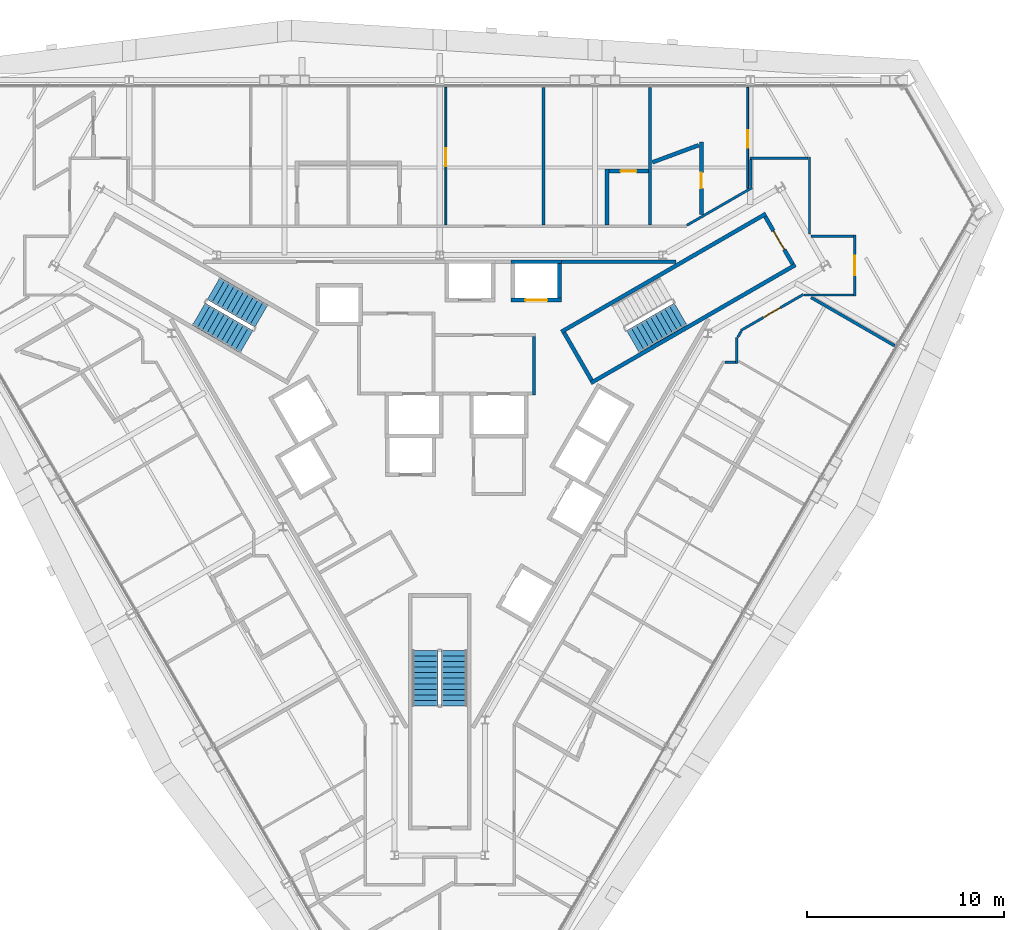
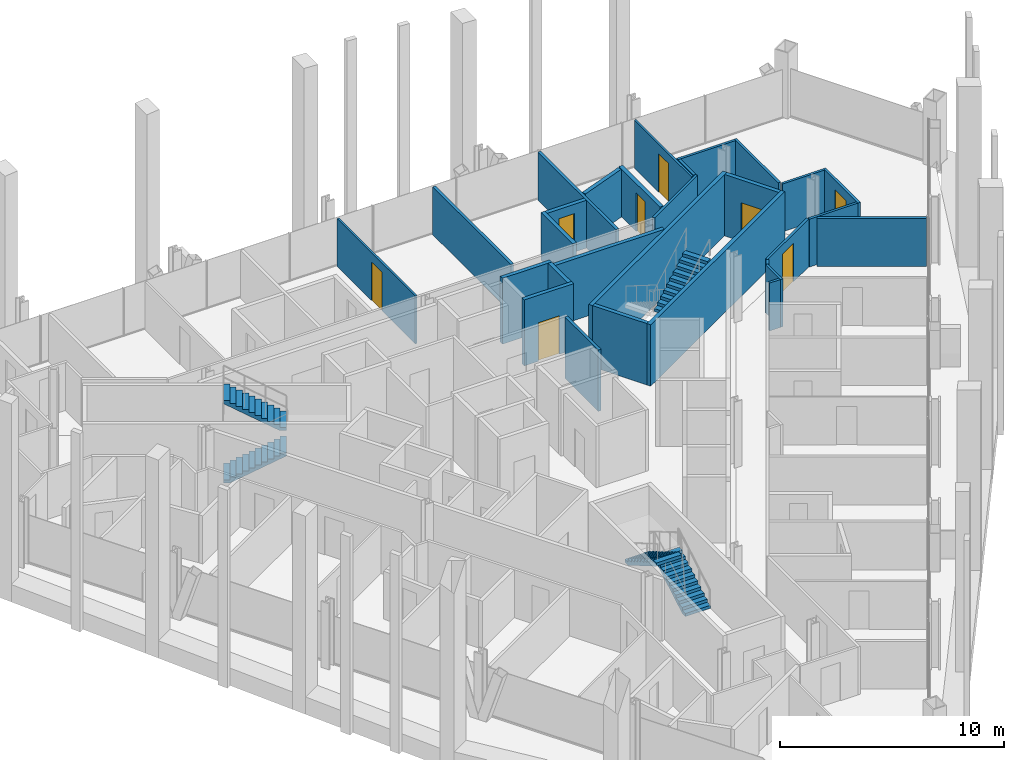
# One storey, part 14 of 17: 29 walls, 8 doors, 5 stair flights, 8 openings, 3 elements without a shape of their own.
"""IFC4 building model written with IfcOpenShell, lengths in metres."""

from ifc_helpers import new_model, si_unit, direction, frame, frame_2d, origin, place, context, subcontext, project, spatial, polyline, rectangle, outline, extrude, material, layer, layer_set, type_object, element, fill, aggregate, save


model = new_model("IFC4")

# Units and contexts
model_context = context("Model", 3, precision=1e-05, world=origin(), true_north=direction((0.0, 1.0)))
body_context = subcontext(model_context, "Body", "Model", "MODEL_VIEW")
ifc_project = project(units=[si_unit("LENGTHUNIT", "METRE"), si_unit("AREAUNIT", "SQUARE_METRE"), si_unit("VOLUMEUNIT", "CUBIC_METRE"), si_unit("PLANEANGLEUNIT", "RADIAN"), si_unit("MASSUNIT", "GRAM", prefix="KILO")], contexts=[model_context])

# Site, building, storey
site_placement = place(None, origin())
site = spatial("IfcSite", under=ifc_project, at=site_placement, CompositionType="ELEMENT")
building_placement = place(site_placement, origin())
building = spatial("IfcBuilding", under=site, at=building_placement, Name="Verrane Prism Tower", CompositionType="ELEMENT")
storey_placement = place(building_placement, frame((0.0, 0.0, 92.800048828125)))
storey = spatial("IfcBuildingStorey", under=building, at=storey_placement, Name="L21", CompositionType="ELEMENT", Elevation=92.800048828125)

# Wall
ifc_material_1 = material(Name="Gypsum board partition", Category="other")
ifc_layer_1 = layer(ifc_material_1, 0.199951171875)
ifc_layer_set_1 = layer_set([ifc_layer_1], Name="CW-200 core boundary wall 2 h")
wall_type_1 = type_object("IfcWallType", Name="CW-200 core boundary wall 2 h", PredefinedType="PARTITIONING", material=ifc_layer_set_1)
wall_1_placement = place(storey_placement, frame((6.177001953125, 8.860107421875, 0.0), z_axis=(0.0, 0.0, 1.0), x_axis=(1.0, 0.0, 0.0)))
element("IfcWall", 1, at=wall_1_placement, inside=storey, type_object=wall_type_1, Name="Core boundary wall CW3-006", PredefinedType="PARTITIONING", context=body_context, shape_type="SweptSolid", body=[
    extrude(rectangle(XDim=5.81396484375, YDim=0.199951171875, at=frame_2d((2.906982421875, 0.0))), origin(), (0.0, 0.0, 1.0), 3.349853515625),
])

# Wall, opening, door
ifc_material_2 = material(Name="Concrete C40/50", Category="concrete")
ifc_layer_2 = layer(ifc_material_2, 0.199951171875)
ifc_layer_set_2 = layer_set([ifc_layer_2], Name="CW-200 stair core wall concrete C40/50 3 h")
wall_type_2 = type_object("IfcWallType", Name="CW-200 stair core wall concrete C40/50 3 h", PredefinedType="PARTITIONING", material=ifc_layer_set_2)
wall_2_placement = place(storey_placement, frame((17.933837890625, 8.737548828125, 0.0), z_axis=(0.0, 0.0, 1.0), x_axis=(-0.49998411664, 0.866034573852, 0.0)))
wall_2 = element("IfcWall", 2, at=wall_2_placement, inside=storey, type_object=wall_type_2, Name="Stair 1 enclosure wall", PredefinedType="PARTITIONING", context=body_context, shape_type="SweptSolid", body=[
    extrude(rectangle(XDim=2.7998046875, YDim=0.199951171875, at=frame_2d((1.39990234375, 0.0))), origin(), (0.0, 0.0, 1.0), 3.349853515625),
])
opening_1_placement = place(wall_2_placement, frame((0.849853515625, 0.0, 0.0)))
opening_1 = element("IfcOpeningElement", 3, at=opening_1_placement, cuts=wall_2, Name="Opening D21500", PredefinedType="OPENING", context=body_context, shape_type="SweptSolid", body=[
    extrude(rectangle(XDim=1.10009765625, YDim=2.10009765625, at=frame_2d((0.550048828125, 1.050048828125))), frame((0.0, 0.10986328125, 0.0), z_axis=(0.0, -1.0, 0.0), x_axis=(1.0, 0.0, 0.0)), (0.0, 0.0, 1.0), 0.219970703125),
])
ifc_material_3 = material(Name="Timber veneered door leaf", Category="wood")
door_type_1 = type_object("IfcDoorType", Name="DR-1100x2100 FD90 single leaf stair", OperationType="NOTDEFINED", PredefinedType="DOOR", material=ifc_material_3)
door_1_placement = place(opening_1_placement, origin())
door_1 = element("IfcDoor", 4, at=door_1_placement, inside=storey, type_object=door_type_1, Name="Stair 1 door", OperationType="SINGLE_SWING_LEFT", OverallHeight=2.10009765625, OverallWidth=1.10009765625, PredefinedType="DOOR", context=body_context, shape_type="SweptSolid", body=[
    extrude(rectangle(XDim=1.10009765625, YDim=2.10009765625, at=frame_2d((0.550048828125, 1.050048828125))), frame((0.0, 0.02490234375, 0.0), z_axis=(0.0, -1.0, 0.0), x_axis=(1.0, 0.0, 0.0)), (0.0, 0.0, 1.0), 0.050048828125),
])
fill(opening_1, door_1)

# Walls
for number, where, z_axis, x_axis, name in (
    (5, (6.17822265625, 5.299072265625, 0.0), (0.0, 0.0, 1.0), (0.866026010844, 0.49999894854, 0.0), "Stair 1 enclosure wall"),
    (6, (7.67822265625, 2.700927734375, 0.0), (0.0, 0.0, 1.0), (0.866026010844, 0.49999894854, 0.0), "Stair 1 enclosure wall"),
):
    element("IfcWall", number, at=place(storey_placement, frame(where, z_axis=z_axis, x_axis=x_axis)), inside=storey, type_object=wall_type_2, Name=name, PredefinedType="PARTITIONING", context=body_context, shape_type="SweptSolid", body=[
        extrude(rectangle(XDim=12.0, YDim=0.199951171875, at=frame_2d((6.0, 0.0))), origin(), (0.0, 0.0, 1.0), 3.349853515625),
    ])
wall_3_placement = place(storey_placement, frame((7.71484375, 2.837646484375, 0.0), z_axis=(0.0, 0.0, 1.0), x_axis=(-0.500049511043, 0.865996816683, 0.0)))
element("IfcWall", 7, at=wall_3_placement, inside=storey, type_object=wall_type_2, Name="Stair 1 enclosure wall", PredefinedType="PARTITIONING", context=body_context, shape_type="SweptSolid", body=[
    extrude(rectangle(XDim=2.800048828125, YDim=0.199951171875, at=frame_2d((1.39990234375, 0.0))), origin(), (0.0, 0.0, 1.0), 3.349853515625),
])

# Wall, opening, door
ifc_material_4 = material(Name="Gypsum board shaft wall assembly", Category="other")
ifc_layer_3 = layer(ifc_material_4, 0.199951171875)
ifc_layer_set_3 = layer_set([ifc_layer_3], Name="HW-200 lift shaft wall 2 h")
wall_type_3 = type_object("IfcWallType", Name="HW-200 lift shaft wall 2 h", PredefinedType="PARTITIONING", material=ifc_layer_set_3)
wall_4_placement = place(storey_placement, frame((3.625, 6.909912109375, 0.0), z_axis=(0.0, 0.0, 1.0), x_axis=(1.0, 0.0, 0.0)))
wall_4 = element("IfcWall", 8, at=wall_4_placement, inside=storey, type_object=wall_type_3, Name="Lift shaft wall", PredefinedType="PARTITIONING", context=body_context, shape_type="SweptSolid", body=[
    extrude(rectangle(XDim=2.550048828125, YDim=0.199951171875, at=frame_2d((1.27490234375, 0.0))), origin(), (0.0, 0.0, 1.0), 3.599853515625),
])
opening_2_placement = place(wall_4_placement, frame((0.72509765625, 0.0, 0.0)))
opening_2 = element("IfcOpeningElement", 9, at=opening_2_placement, cuts=wall_4, Name="Opening D21505", PredefinedType="OPENING", context=body_context, shape_type="SweptSolid", body=[
    extrude(rectangle(XDim=1.10009765625, YDim=2.10009765625, at=frame_2d((0.550048828125, 1.050048828125))), frame((0.0, 0.10986328125, 0.0), z_axis=(0.0, -1.0, 0.0), x_axis=(1.0, 0.0, 0.0)), (0.0, 0.0, 1.0), 0.219970703125),
])
ifc_material_5 = material(Name="Stainless steel sliding landing door", Category="steel")
door_type_2 = type_object("IfcDoorType", Name="LD-1100x2100 lift landing door FD90 sliding", OperationType="NOTDEFINED", PredefinedType="DOOR", material=ifc_material_5)
door_2_placement = place(opening_2_placement, origin())
door_2 = element("IfcDoor", 10, at=door_2_placement, inside=storey, type_object=door_type_2, Name="Bank A lift 3 landing door", OperationType="SLIDING_TO_LEFT", OverallHeight=2.10009765625, OverallWidth=1.10009765625, PredefinedType="DOOR", context=body_context, shape_type="SweptSolid", body=[
    extrude(rectangle(XDim=1.10009765625, YDim=2.10009765625, at=frame_2d((0.550048828125, 1.050048828125))), frame((0.0, 0.02490234375, 0.0), z_axis=(0.0, -1.0, 0.0), x_axis=(1.0, 0.0, 0.0)), (0.0, 0.0, 1.0), 0.050048828125),
])
fill(opening_2, door_2)

# Walls
wall_5_placement = place(storey_placement, frame((3.625, 8.860107421875, 0.0), z_axis=(0.0, 0.0, 1.0), x_axis=(1.0, 0.0, 0.0)))
element("IfcWall", 11, at=wall_5_placement, inside=storey, type_object=wall_type_3, Name="Lift shaft wall", PredefinedType="PARTITIONING", context=body_context, shape_type="SweptSolid", body=[
    extrude(rectangle(XDim=2.550048828125, YDim=0.199951171875, at=frame_2d((1.27490234375, 0.0))), origin(), (0.0, 0.0, 1.0), 3.599853515625),
])
wall_6_placement = place(storey_placement, frame((6.074951171875, 7.010009765625, 0.0), z_axis=(0.0, 0.0, 1.0), x_axis=(0.0, 1.0, 0.0)))
element("IfcWall", 12, at=wall_6_placement, inside=storey, type_object=wall_type_3, Name="Lift shaft wall", PredefinedType="PARTITIONING", context=body_context, shape_type="SweptSolid", body=[
    extrude(rectangle(XDim=1.75, YDim=0.199951171875, at=frame_2d((0.875, 0.0))), origin(), (0.0, 0.0, 1.0), 3.599853515625),
])
ifc_material_6 = material(Name="Gypsum board partition", Category="other")
ifc_layer_4 = layer(ifc_material_6, 0.14990234375)
ifc_layer_set_4 = layer_set([ifc_layer_4], Name="LF-150 firefighting lobby wall 1 h")
wall_type_4 = type_object("IfcWallType", Name="LF-150 firefighting lobby wall 1 h", PredefinedType="PARTITIONING", material=ifc_layer_set_4)
wall_7_placement = place(storey_placement, frame((4.7900390625, 2.0849609375, 0.0), z_axis=(0.0, 0.0, 1.0), x_axis=(0.0, 1.0, 0.0)))
element("IfcWall", 13, at=wall_7_placement, inside=storey, type_object=wall_type_4, Name="Firefighting lobby wall LF1-008", PredefinedType="PARTITIONING", context=body_context, shape_type="SweptSolid", body=[
    extrude(rectangle(XDim=2.97998046875, YDim=0.14990234375, at=frame_2d((1.489990234375, 0.0))), origin(), (0.0, 0.0, 1.0), 3.349853515625),
])

# Wall, opening, door
ifc_material_7 = material(Name="Gypsum board partition", Category="other")
ifc_layer_5 = layer(ifc_material_7, 0.10009765625)
ifc_layer_set_5 = layer_set([ifc_layer_5], Name="PW-100 room partition")
wall_type_5 = type_object("IfcWallType", Name="PW-100 room partition", PredefinedType="PARTITIONING", material=ifc_layer_set_5)
wall_8_placement = place(storey_placement, frame((0.31298828125, 10.7333984375, 0.0), z_axis=(0.0, 0.0, 1.0), x_axis=(0.0, 1.0, 0.0)))
wall_8 = element("IfcWall", 14, at=wall_8_placement, inside=storey, type_object=wall_type_5, Name="Room partition 053", PredefinedType="PARTITIONING", context=body_context, shape_type="SweptSolid", body=[
    extrude(rectangle(XDim=6.981689453125, YDim=0.10009765625, at=frame_2d((3.49072265625, 0.0))), origin(), (0.0, 0.0, 1.0), 2.613037109375),
])
opening_3_placement = place(wall_8_placement, frame((2.987548828125, 0.0, 0.0)))
opening_3 = element("IfcOpeningElement", 15, at=opening_3_placement, cuts=wall_8, Name="Opening D21018", PredefinedType="OPENING", context=body_context, shape_type="SweptSolid", body=[
    extrude(rectangle(XDim=0.89990234375, YDim=2.10009765625, at=frame_2d((0.449951171875, 1.050048828125))), frame((0.0, 0.06005859375, 0.0), z_axis=(0.0, -1.0, 0.0), x_axis=(1.0, 0.0, 0.0)), (0.0, 0.0, 1.0), 0.1201171875),
])
ifc_material_8 = material(Name="Timber veneered door leaf", Category="wood")
door_type_3 = type_object("IfcDoorType", Name="DR-900x2100 single leaf inner", OperationType="NOTDEFINED", PredefinedType="DOOR", material=ifc_material_8)
door_3_placement = place(opening_3_placement, origin())
door_3 = element("IfcDoor", 16, at=door_3_placement, inside=storey, type_object=door_type_3, Name="Suite Living Room door", OperationType="SINGLE_SWING_RIGHT", OverallHeight=2.10009765625, OverallWidth=0.89990234375, PredefinedType="DOOR", context=body_context, shape_type="SweptSolid", body=[
    extrude(rectangle(XDim=0.89990234375, YDim=2.10009765625, at=frame_2d((0.449951171875, 1.050048828125))), frame((0.0, 0.02490234375, 0.0), z_axis=(0.0, -1.0, 0.0), x_axis=(1.0, 0.0, 0.0)), (0.0, 0.0, 1.0), 0.050048828125),
])
fill(opening_3, door_3)

wall_9_placement = place(storey_placement, frame((15.64794921875, 12.59912109375, 0.0), z_axis=(0.0, 0.0, 1.0), x_axis=(0.0, 1.0, 0.0)))
wall_9 = element("IfcWall", 17, at=wall_9_placement, inside=storey, type_object=wall_type_5, Name="Room partition 087", PredefinedType="PARTITIONING", context=body_context, shape_type="SweptSolid", body=[
    extrude(rectangle(XDim=5.115966796875, YDim=0.10009765625, at=frame_2d((2.55810546875, 0.0))), origin(), (0.0, 0.0, 1.0), 2.613037109375),
])
opening_4_placement = place(wall_9_placement, frame((2.049072265625, 0.0, 0.0)))
opening_4 = element("IfcOpeningElement", 18, at=opening_4_placement, cuts=wall_9, Name="Opening D21013", PredefinedType="OPENING", context=body_context, shape_type="SweptSolid", body=[
    extrude(rectangle(XDim=0.89990234375, YDim=2.10009765625, at=frame_2d((0.449951171875, 1.050048828125))), frame((0.0, 0.06005859375, 0.0), z_axis=(0.0, -1.0, 0.0), x_axis=(1.0, 0.0, 0.0)), (0.0, 0.0, 1.0), 0.1201171875),
])
door_4_placement = place(opening_4_placement, origin())
door_4 = element("IfcDoor", 19, at=door_4_placement, inside=storey, type_object=door_type_3, Name="Suite Living Room door", OperationType="SINGLE_SWING_LEFT", OverallHeight=2.10009765625, OverallWidth=0.89990234375, PredefinedType="DOOR", context=body_context, shape_type="SweptSolid", body=[
    extrude(rectangle(XDim=0.89990234375, YDim=2.10009765625, at=frame_2d((0.449951171875, 1.050048828125))), frame((0.0, 0.02490234375, 0.0), z_axis=(0.0, -1.0, 0.0), x_axis=(1.0, 0.0, 0.0)), (0.0, 0.0, 1.0), 0.050048828125),
])
fill(opening_4, door_4)

# Walls
ifc_material_9 = material(Name="Gypsum board partition", Category="other")
ifc_layer_6 = layer(ifc_material_9, 0.125)
ifc_layer_set_6 = layer_set([ifc_layer_6], Name="PW-125 corridor wall 1 h")
wall_type_6 = type_object("IfcWallType", Name="PW-125 corridor wall 1 h", PredefinedType="PARTITIONING", material=ifc_layer_set_6)
wall_10_placement = place(storey_placement, frame((12.5556640625, 10.71337890625, 0.0), z_axis=(0.0, 0.0, 1.0), x_axis=(0.86603035395, 0.499991425964, 0.0)))
element("IfcWall", 20, at=wall_10_placement, inside=storey, type_object=wall_type_6, Name="Corridor wall 077", PredefinedType="PARTITIONING", context=body_context, shape_type="SweptSolid", body=[
    extrude(rectangle(XDim=3.82373046875, YDim=0.125, at=frame_2d((1.911865234375, 0.0))), origin(), (0.0, 0.0, 1.0), 2.613037109375),
])
wall_11_placement = place(storey_placement, frame((14.489013671875, 3.7490234375, 0.0), z_axis=(0.0, 0.0, 1.0), x_axis=(1.0, 0.0, 0.0)))
element("IfcWall", 21, at=wall_11_placement, inside=storey, type_object=wall_type_6, Name="Corridor wall 081", PredefinedType="PARTITIONING", context=body_context, shape_type="SweptSolid", body=[
    extrude(rectangle(XDim=0.546875, YDim=0.125, at=frame_2d((0.2734375, 0.0))), origin(), (0.0, 0.0, 1.0), 2.613037109375),
])
wall_12_placement = place(storey_placement, frame((15.10107421875, 3.6865234375, 0.0), z_axis=(0.0, 0.0, 1.0), x_axis=(0.0, 1.0, 0.0)))
element("IfcWall", 22, at=wall_12_placement, inside=storey, type_object=wall_type_6, Name="Corridor wall 083", PredefinedType="PARTITIONING", context=body_context, shape_type="SweptSolid", body=[
    extrude(rectangle(XDim=1.3310546875, YDim=0.125, at=frame_2d((0.66552734375, 0.0))), origin(), (0.0, 0.0, 1.0), 2.613037109375),
])
wall_13_placement = place(storey_placement, frame((15.1435546875, 5.028564453125, 0.0), z_axis=(0.0, 0.0, 1.0), x_axis=(0.499682006278, 0.86620891972, 0.0)))
element("IfcWall", 23, at=wall_13_placement, inside=storey, type_object=wall_type_6, Name="Corridor wall 085", PredefinedType="PARTITIONING", context=body_context, shape_type="SweptSolid", body=[
    extrude(rectangle(XDim=0.348388671875, YDim=0.125, at=frame_2d((0.17431640625, 0.0))), origin(), (0.0, 0.0, 1.0), 2.613037109375),
])

# Wall, opening, door
wall_14_placement = place(storey_placement, frame((18.47802734375, 7.204345703125, 0.0), z_axis=(0.0, 0.0, 1.0), x_axis=(-0.866011320536, -0.500024392108, 0.0)))
wall_14 = element("IfcWall", 24, at=wall_14_placement, inside=storey, type_object=wall_type_6, Name="Corridor wall 086", PredefinedType="PARTITIONING", context=body_context, shape_type="SweptSolid", body=[
    extrude(rectangle(XDim=3.662841796875, YDim=0.125, at=frame_2d((1.83154296875, 0.0))), origin(), (0.0, 0.0, 1.0), 2.613037109375),
])
opening_5_placement = place(wall_14_placement, frame((1.3505859375, 0.0, 0.0)))
opening_5 = element("IfcOpeningElement", 25, at=opening_5_placement, cuts=wall_14, Name="Opening D21009", PredefinedType="OPENING", context=body_context, shape_type="SweptSolid", body=[
    extrude(rectangle(XDim=1.0, YDim=2.10009765625, at=frame_2d((0.5, 1.050048828125))), frame((0.0, 0.072509765625, 0.0), z_axis=(0.0, -1.0, 0.0), x_axis=(1.0, 0.0, 0.0)), (0.0, 0.0, 1.0), 0.14501953125),
])
ifc_material_10 = material(Name="Timber veneered door leaf", Category="wood")
door_type_4 = type_object("IfcDoorType", Name="DR-1000x2100 FD20 single leaf unit", OperationType="NOTDEFINED", PredefinedType="DOOR", material=ifc_material_10)
door_5_placement = place(opening_5_placement, origin())
door_5 = element("IfcDoor", 26, at=door_5_placement, inside=storey, type_object=door_type_4, Name="Suite Living Room door", OperationType="SINGLE_SWING_RIGHT", OverallHeight=2.10009765625, OverallWidth=1.0, PredefinedType="DOOR", context=body_context, shape_type="SweptSolid", body=[
    extrude(rectangle(XDim=1.0, YDim=2.10009765625, at=frame_2d((0.5, 1.050048828125))), frame((0.0, 0.02490234375, 0.0), z_axis=(0.0, -1.0, 0.0), x_axis=(1.0, 0.0, 0.0)), (0.0, 0.0, 1.0), 0.050048828125),
])
fill(opening_5, door_5)

# Walls
wall_15_placement = place(storey_placement, frame((15.81298828125, 12.678955078125, 0.0), z_axis=(0.0, 0.0, 1.0), x_axis=(0.0, 1.0, 0.0)))
element("IfcWall", 27, at=wall_15_placement, inside=storey, type_object=wall_type_6, Name="Corridor wall 088", PredefinedType="PARTITIONING", context=body_context, shape_type="SweptSolid", body=[
    extrude(rectangle(XDim=1.383056640625, YDim=0.125, at=frame_2d((0.69140625, 0.0))), origin(), (0.0, 0.0, 1.0), 2.613037109375),
])
wall_16_placement = place(storey_placement, frame((15.75048828125, 14.126953125, 0.0), z_axis=(0.0, 0.0, 1.0), x_axis=(1.0, 0.0, 0.0)))
element("IfcWall", 28, at=wall_16_placement, inside=storey, type_object=wall_type_6, Name="Corridor wall 089", PredefinedType="PARTITIONING", context=body_context, shape_type="SweptSolid", body=[
    extrude(rectangle(XDim=2.971435546875, YDim=0.125, at=frame_2d((1.48583984375, 0.0))), origin(), (0.0, 0.0, 1.0), 2.613037109375),
])
wall_17_placement = place(storey_placement, frame((18.509033203125, 7.173095703125, 0.0), z_axis=(0.0, 0.0, 1.0), x_axis=(1.0, 0.0, 0.0)))
element("IfcWall", 29, at=wall_17_placement, inside=storey, type_object=wall_type_6, Name="Corridor wall 090", PredefinedType="PARTITIONING", context=body_context, shape_type="SweptSolid", body=[
    extrude(rectangle(XDim=2.512939453125, YDim=0.125, at=frame_2d((1.25634765625, 0.0))), origin(), (0.0, 0.0, 1.0), 2.613037109375),
])
wall_18_placement = place(storey_placement, frame((18.787109375, 10.259033203125, 0.0), z_axis=(0.0, 0.0, 1.0), x_axis=(0.0, 1.0, 0.0)))
element("IfcWall", 30, at=wall_18_placement, inside=storey, type_object=wall_type_6, Name="Corridor wall 092", PredefinedType="PARTITIONING", context=body_context, shape_type="SweptSolid", body=[
    extrude(rectangle(XDim=3.930419921875, YDim=0.125, at=frame_2d((1.96533203125, 0.0))), origin(), (0.0, 0.0, 1.0), 2.613037109375),
])
wall_19_placement = place(storey_placement, frame((18.85205078125, 10.14697265625, 0.0), z_axis=(0.0, 0.0, 1.0), x_axis=(1.0, 0.0, 0.0)))
element("IfcWall", 31, at=wall_19_placement, inside=storey, type_object=wall_type_6, Name="Corridor wall 093", PredefinedType="PARTITIONING", context=body_context, shape_type="SweptSolid", body=[
    extrude(rectangle(XDim=2.169921875, YDim=0.125, at=frame_2d((1.0849609375, 0.0))), origin(), (0.0, 0.0, 1.0), 2.613037109375),
])

# Wall, opening, door
wall_20_placement = place(storey_placement, frame((21.0869140625, 10.20947265625, 0.0), z_axis=(0.0, 0.0, 1.0), x_axis=(0.0, -1.0, 0.0)))
wall_20 = element("IfcWall", 32, at=wall_20_placement, inside=storey, type_object=wall_type_6, Name="Corridor wall 094", PredefinedType="PARTITIONING", context=body_context, shape_type="SweptSolid", body=[
    extrude(rectangle(XDim=3.098876953125, YDim=0.125, at=frame_2d((1.54931640625, 0.0))), origin(), (0.0, 0.0, 1.0), 2.613037109375),
])
opening_6_placement = place(wall_20_placement, frame((1.03662109375, 0.0, 0.0)))
opening_6 = element("IfcOpeningElement", 33, at=opening_6_placement, cuts=wall_20, Name="Opening D21012", PredefinedType="OPENING", context=body_context, shape_type="SweptSolid", body=[
    extrude(rectangle(XDim=1.0, YDim=2.10009765625, at=frame_2d((0.5, 1.050048828125))), frame((0.0, 0.072509765625, 0.0), z_axis=(0.0, -1.0, 0.0), x_axis=(1.0, 0.0, 0.0)), (0.0, 0.0, 1.0), 0.14501953125),
])
door_6_placement = place(opening_6_placement, origin())
door_6 = element("IfcDoor", 34, at=door_6_placement, inside=storey, type_object=door_type_4, Name="Suite Living Room door", OperationType="SINGLE_SWING_LEFT", OverallHeight=2.10009765625, OverallWidth=1.0, PredefinedType="DOOR", context=body_context, shape_type="SweptSolid", body=[
    extrude(rectangle(XDim=1.0, YDim=2.10009765625, at=frame_2d((0.5, 1.050048828125))), frame((0.0, 0.02490234375, 0.0), z_axis=(0.0, -1.0, 0.0), x_axis=(1.0, 0.0, 0.0)), (0.0, 0.0, 1.0), 0.050048828125),
])
fill(opening_6, door_6)

# Walls
ifc_material_11 = material(Name="Gypsum board partition", Category="other")
ifc_layer_7 = layer(ifc_material_11, 0.14990234375)
ifc_layer_set_7 = layer_set([ifc_layer_7], Name="PW-150 demising wall 1 h")
wall_type_7 = type_object("IfcWallType", Name="PW-150 demising wall 1 h", PredefinedType="PARTITIONING", material=ifc_layer_set_7)
for number, where, z_axis, x_axis, name in (
    (35, (5.26806640625, 10.7333984375, 0.0), (0.0, 0.0, 1.0), (0.0, 1.0, 0.0), "Demising wall 062"),
    (36, (10.693115234375, 10.7333984375, 0.0), (0.0, 0.0, 1.0), (0.0, 1.0, 0.0), "Demising wall 073"),
):
    element("IfcWall", number, at=place(storey_placement, frame(where, z_axis=z_axis, x_axis=x_axis)), inside=storey, type_object=wall_type_7, Name=name, PredefinedType="PARTITIONING", context=body_context, shape_type="SweptSolid", body=[
        extrude(rectangle(XDim=6.981689453125, YDim=0.14990234375, at=frame_2d((3.49072265625, 0.0))), origin(), (0.0, 0.0, 1.0), 2.613037109375),
    ])
wall_21_placement = place(storey_placement, frame((18.86572265625, 7.045654296875, 0.0), z_axis=(0.0, 0.0, 1.0), x_axis=(0.866042025588, -0.499971209087, 0.0)))
element("IfcWall", 37, at=wall_21_placement, inside=storey, type_object=wall_type_7, Name="Demising wall 091", PredefinedType="PARTITIONING", context=body_context, shape_type="SweptSolid", body=[
    extrude(rectangle(XDim=4.899169921875, YDim=0.14990234375, at=frame_2d((2.44970703125, 0.0))), origin(), (0.0, 0.0, 1.0), 2.613037109375),
])
ifc_material_12 = material(Name="Gypsum board partition", Category="other")
ifc_layer_8 = layer(ifc_material_12, 0.199951171875)
ifc_layer_set_8 = layer_set([ifc_layer_8], Name="PW-200 plumbing wall")
wall_type_8 = type_object("IfcWallType", Name="PW-200 plumbing wall", PredefinedType="PARTITIONING", material=ifc_layer_set_8)
wall_22_placement = place(storey_placement, frame((8.492919921875, 10.7333984375, 0.0), z_axis=(0.0, 0.0, 1.0), x_axis=(0.0, 1.0, 0.0)))
element("IfcWall", 38, at=wall_22_placement, inside=storey, type_object=wall_type_8, Name="Plumbing wall 067", PredefinedType="PARTITIONING", context=body_context, shape_type="SweptSolid", body=[
    extrude(rectangle(XDim=2.837646484375, YDim=0.199951171875, at=frame_2d((1.4189453125, 0.0))), origin(), (0.0, 0.0, 1.0), 2.613037109375),
])

# Wall, opening, door
wall_23_placement = place(storey_placement, frame((10.617919921875, 13.470947265625, 0.0), z_axis=(0.0, 0.0, 1.0), x_axis=(-1.0, 0.0, 0.0)))
wall_23 = element("IfcWall", 39, at=wall_23_placement, inside=storey, type_object=wall_type_8, Name="Plumbing wall 068", PredefinedType="PARTITIONING", context=body_context, shape_type="SweptSolid", body=[
    extrude(rectangle(XDim=2.02490234375, YDim=0.199951171875, at=frame_2d((1.012451171875, 0.0))), origin(), (0.0, 0.0, 1.0), 2.613037109375),
])
opening_7_placement = place(wall_23_placement, frame((0.625, 0.0, 0.0)))
opening_7 = element("IfcOpeningElement", 40, at=opening_7_placement, cuts=wall_23, Name="Opening D21016", PredefinedType="OPENING", context=body_context, shape_type="SweptSolid", body=[
    extrude(rectangle(XDim=0.800048828125, YDim=2.10009765625, at=frame_2d((0.39990234375, 1.050048828125))), frame((0.0, 0.10986328125, 0.0), z_axis=(0.0, -1.0, 0.0), x_axis=(1.0, 0.0, 0.0)), (0.0, 0.0, 1.0), 0.219970703125),
])
ifc_material_13 = material(Name="Timber veneered door leaf", Category="wood")
door_type_5 = type_object("IfcDoorType", Name="DR-800x2100 single leaf bath", OperationType="NOTDEFINED", PredefinedType="DOOR", material=ifc_material_13)
door_7_placement = place(opening_7_placement, origin())
door_7 = element("IfcDoor", 41, at=door_7_placement, inside=storey, type_object=door_type_5, Name="En-Suite door", OperationType="SINGLE_SWING_LEFT", OverallHeight=2.10009765625, OverallWidth=0.800048828125, PredefinedType="DOOR", context=body_context, shape_type="SweptSolid", body=[
    extrude(rectangle(XDim=0.800048828125, YDim=2.10009765625, at=frame_2d((0.39990234375, 1.050048828125))), frame((0.0, 0.02490234375, 0.0), z_axis=(0.0, -1.0, 0.0), x_axis=(1.0, 0.0, 0.0)), (0.0, 0.0, 1.0), 0.050048828125),
])
fill(opening_7, door_7)

# Wall
wall_24_placement = place(storey_placement, frame((10.802734375, 13.91162109375, 0.0), z_axis=(0.0, 0.0, 1.0), x_axis=(0.937732337139, 0.347358696283, 0.0)))
element("IfcWall", 42, at=wall_24_placement, inside=storey, type_object=wall_type_8, Name="Plumbing wall 074", PredefinedType="PARTITIONING", context=body_context, shape_type="SweptSolid", body=[
    extrude(rectangle(XDim=2.510498046875, YDim=0.199951171875, at=frame_2d((1.25537109375, 0.0))), origin(), (0.0, 0.0, 1.0), 2.613037109375),
])

# Wall, opening, door
wall_25_placement = place(storey_placement, frame((13.29296875, 11.268798828125, 0.0), z_axis=(0.0, 0.0, 1.0), x_axis=(0.0, 1.0, 0.0)))
wall_25 = element("IfcWall", 43, at=wall_25_placement, inside=storey, type_object=wall_type_8, Name="Plumbing wall 078", PredefinedType="PARTITIONING", context=body_context, shape_type="SweptSolid", body=[
    extrude(rectangle(XDim=3.665283203125, YDim=0.199951171875, at=frame_2d((1.83251953125, 0.0))), origin(), (0.0, 0.0, 1.0), 2.613037109375),
])
opening_8_placement = place(wall_25_placement, frame((1.320068359375, 0.0, 0.0)))
opening_8 = element("IfcOpeningElement", 44, at=opening_8_placement, cuts=wall_25, Name="Opening D21014", PredefinedType="OPENING", context=body_context, shape_type="SweptSolid", body=[
    extrude(rectangle(XDim=0.800048828125, YDim=2.10009765625, at=frame_2d((0.39990234375, 1.050048828125))), frame((0.0, 0.10986328125, 0.0), z_axis=(0.0, -1.0, 0.0), x_axis=(1.0, 0.0, 0.0)), (0.0, 0.0, 1.0), 0.219970703125),
])
door_8_placement = place(opening_8_placement, origin())
door_8 = element("IfcDoor", 45, at=door_8_placement, inside=storey, type_object=door_type_5, Name="En-Suite door", OperationType="SINGLE_SWING_RIGHT", OverallHeight=2.10009765625, OverallWidth=0.800048828125, PredefinedType="DOOR", context=body_context, shape_type="SweptSolid", body=[
    extrude(rectangle(XDim=0.800048828125, YDim=2.10009765625, at=frame_2d((0.39990234375, 1.050048828125))), frame((0.0, 0.02490234375, 0.0), z_axis=(0.0, -1.0, 0.0), x_axis=(1.0, 0.0, 0.0)), (0.0, 0.0, 1.0), 0.050048828125),
])
fill(opening_8, door_8)

# Stair, stair flight
ifc_material_14 = material(Name="Concrete C40/50", Category="concrete")
stair_type = type_object("IfcStairType", Name="Exit stair 1300 dog-leg precast concrete C40/50", PredefinedType="HALF_TURN_STAIR", material=ifc_material_14)
stair_1_placement = place(storey_placement, origin())
stair_1 = element("IfcStair", 46, at=stair_1_placement, inside=storey, type_object=stair_type, Name="Stair 1 L21", PredefinedType="HALF_TURN_STAIR")
ifc_material_15 = material(Name="Concrete C40/50", Category="concrete")
stair_flight_type = type_object("IfcStairFlightType", Name="Stair flight 1300 precast concrete C40/50", PredefinedType="STRAIGHT", material=ifc_material_15)
stair_flight_1_placement = place(storey_placement, frame((9.814697265625, 4.800537109375, 1.800048828125), z_axis=(0.0, 0.0, 1.0), x_axis=(0.866025403784, 0.5, 0.0)))
stair_flight_1 = element("IfcStairFlight", 47, at=stair_flight_1_placement, type_object=stair_flight_type, Name="Stair 1 flight 2", NumberOfRisers=11, NumberOfTreads=10, PredefinedType="STRAIGHT", RiserHeight=0.163636364, TreadLength=0.28, context=body_context, shape_type="SweptSolid", body=[
    extrude(outline(polyline([(0.0, 0.0), (0.0, 0.16357421875), (0.280029296875, 0.16357421875), (0.280029296875, 0.327392578125), (0.56005859375, 0.327392578125), (0.56005859375, 0.490966796875), (0.840087890625, 0.490966796875), (0.840087890625, 0.654541015625), (1.1201171875, 0.654541015625), (1.1201171875, 0.818115234375), (1.39990234375, 0.818115234375), (1.39990234375, 0.98193359375), (1.679931640625, 0.98193359375), (1.679931640625, 1.1455078125), (1.9599609375, 1.1455078125), (1.9599609375, 1.30908203125), (2.239990234375, 1.30908203125), (2.239990234375, 1.47265625), (2.52001953125, 1.47265625), (2.52001953125, 1.636474609375), (2.800048828125, 1.636474609375), (2.800048828125, 1.800048828125), (2.800048828125, 1.462646484375), (0.297119140625, 0.0), (0.0, 0.0)])), frame((0.0, 0.64990234375, 0.0), z_axis=(0.0, -1.0, 0.0), x_axis=(1.0, 0.0, 0.0)), (0.0, 0.0, 1.0), 1.300048828125),
])
aggregate(stair_1, [stair_flight_1])

# Stair, stair flights
stair_2_placement = place(storey_placement, origin())
stair_2 = element("IfcStair", 48, at=stair_2_placement, inside=storey, type_object=stair_type, Name="Stair 2 L21", PredefinedType="HALF_TURN_STAIR")
stair_flight_2_placement = place(storey_placement, frame((-12.239501953125, 6.200439453125, 0.0), z_axis=(0.0, 0.0, 1.0), x_axis=(0.866025403784, -0.5, 0.0)))
stair_flight_2 = element("IfcStairFlight", 49, at=stair_flight_2_placement, type_object=stair_flight_type, Name="Stair 2 flight 1", NumberOfRisers=11, NumberOfTreads=10, PredefinedType="STRAIGHT", RiserHeight=0.163636364, TreadLength=0.28, context=body_context, shape_type="SweptSolid", body=[
    extrude(outline(polyline([(0.0, 0.0), (0.0, 0.16357421875), (0.280029296875, 0.16357421875), (0.280029296875, 0.327392578125), (0.56005859375, 0.327392578125), (0.56005859375, 0.490966796875), (0.840087890625, 0.490966796875), (0.840087890625, 0.654541015625), (1.1201171875, 0.654541015625), (1.1201171875, 0.818115234375), (1.39990234375, 0.818115234375), (1.39990234375, 0.98193359375), (1.679931640625, 0.98193359375), (1.679931640625, 1.1455078125), (1.9599609375, 1.1455078125), (1.9599609375, 1.30908203125), (2.239990234375, 1.30908203125), (2.239990234375, 1.47265625), (2.52001953125, 1.47265625), (2.52001953125, 1.636474609375), (2.800048828125, 1.636474609375), (2.800048828125, 1.800048828125), (2.800048828125, 1.462646484375), (0.297119140625, 0.0), (0.0, 0.0)])), frame((0.0, 0.64990234375, 0.0), z_axis=(0.0, -1.0, 0.0), x_axis=(1.0, 0.0, 0.0)), (0.0, 0.0, 1.0), 1.300048828125),
])
stair_flight_3_placement = place(storey_placement, frame((-9.064697265625, 6.099609375, 1.800048828125), z_axis=(0.0, 0.0, 1.0), x_axis=(-0.866025403784, 0.5, 0.0)))
stair_flight_3 = element("IfcStairFlight", 50, at=stair_flight_3_placement, type_object=stair_flight_type, Name="Stair 2 flight 2", NumberOfRisers=11, NumberOfTreads=10, PredefinedType="STRAIGHT", RiserHeight=0.163636364, TreadLength=0.28, context=body_context, shape_type="SweptSolid", body=[
    extrude(outline(polyline([(0.0, 0.0), (0.0, 0.16357421875), (0.280029296875, 0.16357421875), (0.280029296875, 0.327392578125), (0.56005859375, 0.327392578125), (0.56005859375, 0.490966796875), (0.840087890625, 0.490966796875), (0.840087890625, 0.654541015625), (1.1201171875, 0.654541015625), (1.1201171875, 0.818115234375), (1.39990234375, 0.818115234375), (1.39990234375, 0.98193359375), (1.679931640625, 0.98193359375), (1.679931640625, 1.1455078125), (1.9599609375, 1.1455078125), (1.9599609375, 1.30908203125), (2.239990234375, 1.30908203125), (2.239990234375, 1.47265625), (2.52001953125, 1.47265625), (2.52001953125, 1.636474609375), (2.800048828125, 1.636474609375), (2.800048828125, 1.800048828125), (2.800048828125, 1.462646484375), (0.297119140625, 0.0), (0.0, 0.0)])), frame((0.0, 0.64990234375, 0.0), z_axis=(0.0, -1.0, 0.0), x_axis=(1.0, 0.0, 0.0)), (0.0, 0.0, 1.0), 1.300048828125),
])
aggregate(stair_2, [stair_flight_2, stair_flight_3])

stair_3_placement = place(storey_placement, origin())
stair_3 = element("IfcStair", 51, at=stair_3_placement, inside=storey, type_object=stair_type, Name="Stair 3 L21", PredefinedType="HALF_TURN_STAIR")
stair_flight_4_placement = place(storey_placement, frame((0.75, -13.699951171875, 0.0), z_axis=(0.0, 0.0, 1.0), x_axis=(0.0, 1.0, 0.0)))
stair_flight_4 = element("IfcStairFlight", 52, at=stair_flight_4_placement, type_object=stair_flight_type, Name="Stair 3 flight 1", NumberOfRisers=11, NumberOfTreads=10, PredefinedType="STRAIGHT", RiserHeight=0.163636364, TreadLength=0.28, context=body_context, shape_type="SweptSolid", body=[
    extrude(outline(polyline([(0.0, 0.0), (0.0, 0.16357421875), (0.280029296875, 0.16357421875), (0.280029296875, 0.327392578125), (0.56005859375, 0.327392578125), (0.56005859375, 0.490966796875), (0.840087890625, 0.490966796875), (0.840087890625, 0.654541015625), (1.1201171875, 0.654541015625), (1.1201171875, 0.818115234375), (1.39990234375, 0.818115234375), (1.39990234375, 0.98193359375), (1.679931640625, 0.98193359375), (1.679931640625, 1.1455078125), (1.9599609375, 1.1455078125), (1.9599609375, 1.30908203125), (2.239990234375, 1.30908203125), (2.239990234375, 1.47265625), (2.52001953125, 1.47265625), (2.52001953125, 1.636474609375), (2.800048828125, 1.636474609375), (2.800048828125, 1.800048828125), (2.800048828125, 1.462646484375), (0.297119140625, 0.0), (0.0, 0.0)])), frame((0.0, 0.64990234375, 0.0), z_axis=(0.0, -1.0, 0.0), x_axis=(1.0, 0.0, 0.0)), (0.0, 0.0, 1.0), 1.300048828125),
])
stair_flight_5_placement = place(storey_placement, frame((-0.75, -10.89990234375, 1.800048828125), z_axis=(0.0, 0.0, 1.0), x_axis=(0.0, -1.0, 0.0)))
stair_flight_5 = element("IfcStairFlight", 53, at=stair_flight_5_placement, type_object=stair_flight_type, Name="Stair 3 flight 2", NumberOfRisers=11, NumberOfTreads=10, PredefinedType="STRAIGHT", RiserHeight=0.163636364, TreadLength=0.28, context=body_context, shape_type="SweptSolid", body=[
    extrude(outline(polyline([(0.0, 0.0), (0.0, 0.16357421875), (0.280029296875, 0.16357421875), (0.280029296875, 0.327392578125), (0.56005859375, 0.327392578125), (0.56005859375, 0.490966796875), (0.840087890625, 0.490966796875), (0.840087890625, 0.654541015625), (1.1201171875, 0.654541015625), (1.1201171875, 0.818115234375), (1.39990234375, 0.818115234375), (1.39990234375, 0.98193359375), (1.679931640625, 0.98193359375), (1.679931640625, 1.1455078125), (1.9599609375, 1.1455078125), (1.9599609375, 1.30908203125), (2.239990234375, 1.30908203125), (2.239990234375, 1.47265625), (2.52001953125, 1.47265625), (2.52001953125, 1.636474609375), (2.800048828125, 1.636474609375), (2.800048828125, 1.800048828125), (2.800048828125, 1.462646484375), (0.297119140625, 0.0), (0.0, 0.0)])), frame((0.0, 0.64990234375, 0.0), z_axis=(0.0, -1.0, 0.0), x_axis=(1.0, 0.0, 0.0)), (0.0, 0.0, 1.0), 1.300048828125),
])
aggregate(stair_3, [stair_flight_4, stair_flight_5])

save(model, "model.ifc")
